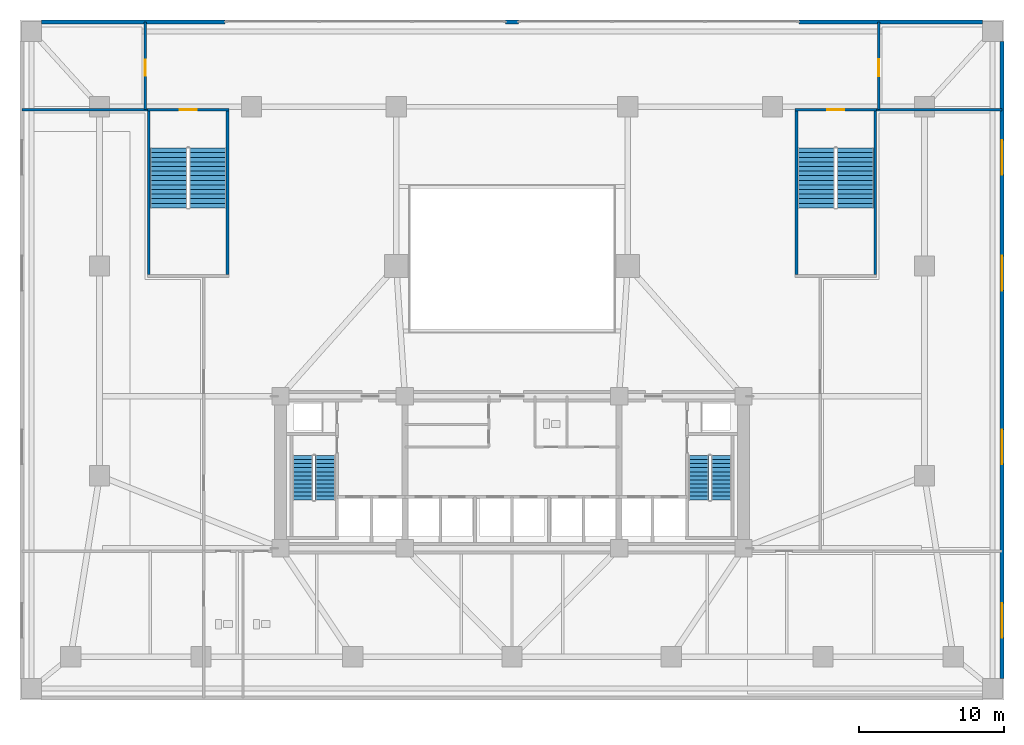
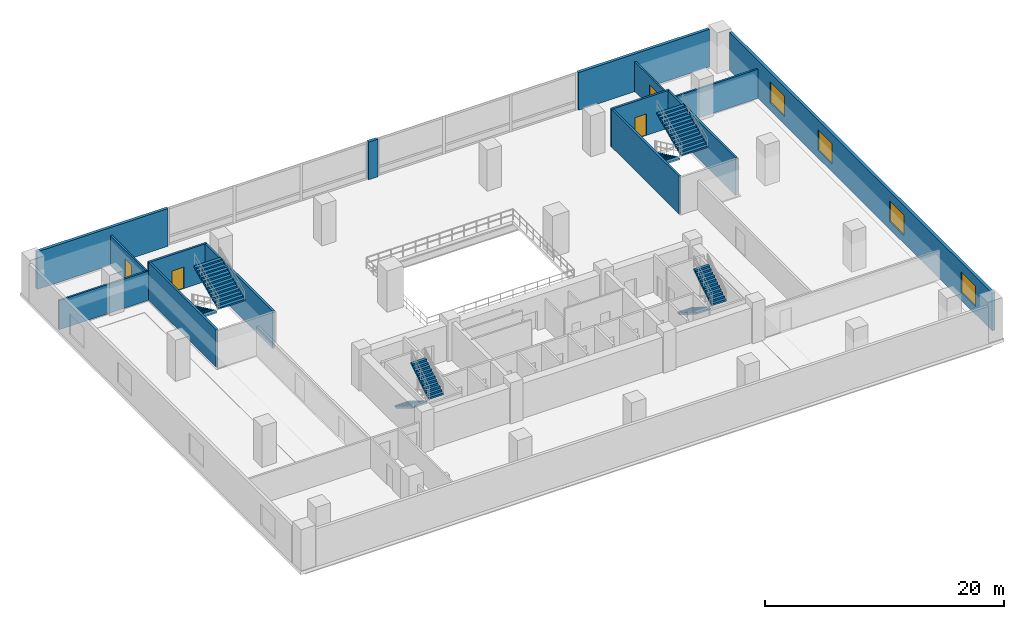
# One storey, part 9 of 15: 14 walls, 8 stair flights, 4 doors, 4 windows, 8 openings, 4 elements without a shape of their own.
"""IFC4 building model written with IfcOpenShell, lengths in metres."""

import ifcopenshell
import ifcopenshell.guid

model = None  # the IFC model being written
_history = None  # IfcOwnerHistory: only IFC2X3 demands one
_inside = {}  # id of a spatial element -> (the spatial element, [elements in it])
_under = {}  # id of a project, library or spatial element -> (it, [spatial elements below it])
_declared = {}  # id of a project -> (the project, [libraries it declares])
_typed = {}  # id of a type object -> (the type object, [elements of that type])
_made_of = {}  # id of a material, layer set ... -> (it, [elements and type objects made of it])


def new_model(schema):
    """Start an empty IFC model of exactly this schema.

    Asked for "IFC4X3", IfcOpenShell would pick the latest addendum, in which some entities
    have other attributes; the version numbers below select the first issue.
    IFC2X3 requires an IfcOwnerHistory on every rooted entity: one is made here for all.
    """
    global model, _history
    if schema == "IFC4X3":
        model = ifcopenshell.file(schema_version=(4, 3, 0, 0))
    else:
        model = ifcopenshell.file(schema=schema)
    _inside.clear()
    _under.clear()
    _declared.clear()
    _typed.clear()
    _made_of.clear()
    _history = None
    if model.schema == "IFC2X3":
        org = make("IfcOrganization", Name="unknown")
        user = make(
            "IfcPersonAndOrganization",
            ThePerson=make("IfcPerson", FamilyName="unknown"),
            TheOrganization=org,
        )
        app = make(
            "IfcApplication",
            ApplicationDeveloper=org,
            Version="unknown",
            ApplicationFullName="unknown",
            ApplicationIdentifier="unknown",
        )
        _history = make(
            "IfcOwnerHistory",
            OwningUser=user,
            OwningApplication=app,
            ChangeAction="ADDED",
            CreationDate=0,
        )
    return model


def make(cls, **values):
    """One entity of the class cls with the attributes given. An attribute that is None is left unset."""
    return model.create_entity(
        cls, **{name: value for name, value in values.items() if value is not None}
    )


def rooted(cls, **values):
    """An entity with a GlobalId (a new one), such as an element, a storey or a relation."""
    return make(cls, GlobalId=ifcopenshell.guid.new(), OwnerHistory=_history, **values)


def si_unit(unit_type, name, prefix=None):
    """IfcSIUnit, for example si_unit("LENGTHUNIT", "METRE", prefix="MILLI")."""
    return make("IfcSIUnit", UnitType=unit_type, Prefix=prefix, Name=name)


def assignment(units):
    """IfcUnitAssignment: the units of a project."""
    return None if units is None else make("IfcUnitAssignment", Units=units)


def point(xyz):
    """IfcCartesianPoint."""
    return None if xyz is None else make("IfcCartesianPoint", Coordinates=xyz)


def direction(xyz):
    """IfcDirection."""
    return None if xyz is None else make("IfcDirection", DirectionRatios=xyz)


def frame(location, z_axis=None, x_axis=None):
    """IfcAxis2Placement3D, a coordinate frame: its origin and axes. An axis left out is left unset."""
    return make(
        "IfcAxis2Placement3D",
        Location=point(location),
        Axis=direction(z_axis),
        RefDirection=direction(x_axis),
    )


def frame_2d(location, x_axis=None):
    """IfcAxis2Placement2D, a coordinate frame in the plane: its origin and x axis."""
    return make(
        "IfcAxis2Placement2D", Location=point(location), RefDirection=direction(x_axis)
    )


def origin():
    """The frame at (0, 0, 0) with its axes left unset."""
    return frame((0.0, 0.0, 0.0))


def place(relative_to, where):
    """IfcLocalPlacement: puts the frame where relative to a parent placement (None: the world)."""
    return make(
        "IfcLocalPlacement", PlacementRelTo=relative_to, RelativePlacement=where
    )


def context(
    kind, dimensions, precision=None, world=None, true_north=None, identifier=None
):
    """IfcGeometricRepresentationContext, for example the 3D "Model" context."""
    return make(
        "IfcGeometricRepresentationContext",
        ContextIdentifier=identifier,
        ContextType=kind,
        CoordinateSpaceDimension=dimensions,
        Precision=precision,
        WorldCoordinateSystem=world,
        TrueNorth=true_north,
    )


def subcontext(parent, identifier, kind, view, scale=None):
    """IfcGeometricRepresentationSubContext, for example "Body" below "Model"."""
    return make(
        "IfcGeometricRepresentationSubContext",
        ContextIdentifier=identifier,
        ContextType=kind,
        ParentContext=parent,
        TargetScale=scale,
        TargetView=view,
    )


def project(units=None, contexts=None):
    """IfcProject with its units and contexts."""
    return rooted(
        "IfcProject",
        Name="project",
        RepresentationContexts=contexts,
        UnitsInContext=assignment(units),
    )


def spatial(cls, under=None, at=None, **own):
    """A site, building, storey or space (cls), placed at a placement, below another one or the project."""
    s = rooted(cls, ObjectPlacement=at, **own)
    if under is not None:
        _under.setdefault(under.id(), (under, []))[1].append(s)
    return s


def polyline(points):
    """IfcPolyline through the points."""
    return make("IfcPolyline", Points=[point(p) for p in points])


def profile(cls, at=None, kind="AREA", **sizes):
    """A parametric profile (cls). Its sizes go by their IFC names, for example OverallWidth=200.0."""
    return make(cls, ProfileType=kind, Position=at, **sizes)


def rectangle(**sizes):
    """IfcRectangleProfileDef."""
    return profile("IfcRectangleProfileDef", **sizes)


def outline(outer, holes=None, kind="AREA"):
    """IfcArbitraryClosedProfileDef: a profile drawn as a closed curve; with holes, ...WithVoids."""
    if holes is None:
        return make("IfcArbitraryClosedProfileDef", ProfileType=kind, OuterCurve=outer)
    return make(
        "IfcArbitraryProfileDefWithVoids",
        ProfileType=kind,
        OuterCurve=outer,
        InnerCurves=holes,
    )


def extrude(swept, where, along, depth):
    """IfcExtrudedAreaSolid: the profile swept, set in the frame where, extruded along a direction by depth."""
    return make(
        "IfcExtrudedAreaSolid",
        SweptArea=swept,
        Position=where,
        ExtrudedDirection=direction(along),
        Depth=depth,
    )


def shape(context_of_items, identifier, shape_type, items):
    """IfcShapeRepresentation: the items that make up one representation, for example the "Body"."""
    return make(
        "IfcShapeRepresentation",
        ContextOfItems=context_of_items,
        RepresentationIdentifier=identifier,
        RepresentationType=shape_type,
        Items=items,
    )


def material(Name=None, Category=None):
    """IfcMaterial."""
    return make("IfcMaterial", Name=Name, Category=Category)


def layer(
    of_material, thickness, ventilated=None, Name=None, Category=None, Priority=None
):
    """IfcMaterialLayer: one layer of a wall or slab, of a material (None: an air gap)."""
    return make(
        "IfcMaterialLayer",
        Material=of_material,
        LayerThickness=thickness,
        IsVentilated=ventilated,
        Name=Name,
        Category=Category,
        Priority=Priority,
    )


def layer_set(layers, Name=None):
    """IfcMaterialLayerSet."""
    return make("IfcMaterialLayerSet", MaterialLayers=layers, LayerSetName=Name)


def made_of(thing, what):
    """Note that an element or type object is made of a material, layer set ...; save() writes the relation."""
    if what is not None:
        _made_of.setdefault(what.id(), (what, []))[1].append(thing)
    return thing


def type_object(cls, material=None, **own):
    """A type object (cls), such as IfcWallType, which elements share."""
    return made_of(rooted(cls, **own), material)


def element(
    cls,
    number,
    at=None,
    inside=None,
    cuts=None,
    type_object=None,
    material=None,
    context=None,
    identifier="Body",
    shape_type=None,
    held_by="IfcProductDefinitionShape",
    body=None,
    shapes=None,
    **own,
):
    """One element of the class cls, such as IfcWall. Its Tag is "e" and its number.

    at: its placement. inside: the storey or other place that contains it. cuts: it is an
    opening in that element (IfcRelVoidsElement). A single representation is given by context,
    identifier, shape_type and body (its items); several are given by shapes. held_by: the class
    of the entity that holds the representations. save() writes the other relations.
    """
    e = rooted(cls, Tag="e%d" % number, ObjectPlacement=at, **own)
    if body is not None:
        shapes = [shape(context, identifier, shape_type, body)]
    if shapes is not None:
        e.Representation = make(held_by, Representations=shapes)
    if inside is not None:
        _inside.setdefault(inside.id(), (inside, []))[1].append(e)
    if cuts is not None:
        rooted(
            "IfcRelVoidsElement", RelatingBuildingElement=cuts, RelatedOpeningElement=e
        )
    if type_object is not None:
        _typed.setdefault(type_object.id(), (type_object, []))[1].append(e)
    return made_of(e, material)


def fill(opening, filler):
    """IfcRelFillsElement: the door or window that sits in an opening."""
    return rooted(
        "IfcRelFillsElement",
        RelatingOpeningElement=opening,
        RelatedBuildingElement=filler,
    )


def aggregate(whole, parts):
    """IfcRelAggregates: a whole, such as a stair, and the parts it consists of."""
    return rooted("IfcRelAggregates", RelatingObject=whole, RelatedObjects=parts)


def save(model, path):
    """Write the relations noted so far, then the file.

    IfcRelAggregates (storeys below a building ...), IfcRelContainedInSpatialStructure (elements
    in a storey), IfcRelDefinesByType, IfcRelAssociatesMaterial and IfcRelDeclares: one each for
    every whole, place, type object, material and project.
    """
    for whole, parts in _under.values():
        aggregate(whole, parts)
    for where, things in _inside.values():
        rooted(
            "IfcRelContainedInSpatialStructure",
            RelatedElements=things,
            RelatingStructure=where,
        )
    for kind, things in _typed.values():
        rooted("IfcRelDefinesByType", RelatedObjects=things, RelatingType=kind)
    for what, things in _made_of.values():
        rooted("IfcRelAssociatesMaterial", RelatedObjects=things, RelatingMaterial=what)
    for by, libraries in _declared.values():
        rooted("IfcRelDeclares", RelatingContext=by, RelatedDefinitions=libraries)
    model.write(path)


model = new_model("IFC4")

# Units and contexts
model_context = context("Model", 3, precision=1e-05, world=origin(), true_north=direction((0.0, 1.0)))
body_context = subcontext(model_context, "Body", "Model", "MODEL_VIEW")
ifc_project = project(units=[si_unit("LENGTHUNIT", "METRE"), si_unit("AREAUNIT", "SQUARE_METRE"), si_unit("VOLUMEUNIT", "CUBIC_METRE"), si_unit("PLANEANGLEUNIT", "RADIAN"), si_unit("MASSUNIT", "GRAM", prefix="KILO")], contexts=[model_context])

# Site, building, storey
site_placement = place(None, origin())
site = spatial("IfcSite", under=ifc_project, at=site_placement, CompositionType="ELEMENT")
building_placement = place(site_placement, origin())
building = spatial("IfcBuilding", under=site, at=building_placement, Name="Solmavex Isthmus Hotel", CompositionType="ELEMENT")
storey_placement = place(building_placement, frame((0.0, 0.0, 16.199951171875)))
storey = spatial("IfcBuildingStorey", under=building, at=storey_placement, Name="L04", CompositionType="ELEMENT", Elevation=16.199951171875)

# Walls
ifc_material_1 = material(Name="Precast Concrete C40/50", Category="concrete")
ifc_layer_1 = layer(ifc_material_1, 0.280029296875)
ifc_layer_set_1 = layer_set([ifc_layer_1], Name="Precast Concrete C40/50")
wall_type_1 = type_object("IfcWallType", Name="EW-POD-280", PredefinedType="STANDARD", material=ifc_layer_set_1)
for number, where, z_axis, x_axis, name in (
    (1, (-32.5, 23.360107421875, 0.0), (0.0, 0.0, 1.0), (1.0, 0.0, 0.0), "Podium Facade Wall NW L04"),
    (2, (19.840087890625, 23.360107421875, 0.0), (0.0, 0.0, 1.0), (1.0, 0.0, 0.0), "Podium Facade Wall NE L04"),
):
    element("IfcWall", number, at=place(storey_placement, frame(where, z_axis=z_axis, x_axis=x_axis)), inside=storey, type_object=wall_type_1, Name=name, PredefinedType="STANDARD", context=body_context, shape_type="SweptSolid", body=[
        extrude(rectangle(XDim=12.659912109375, YDim=0.280029296875, at=frame_2d((6.330078125, 0.0))), origin(), (0.0, 0.0, 1.0), 3.85009765625),
    ])
wall_1_placement = place(storey_placement, frame((-0.449951171875, 23.360107421875, 0.0), z_axis=(0.0, 0.0, 1.0), x_axis=(1.0, 0.0, 0.0)))
element("IfcWall", 3, at=wall_1_placement, inside=storey, type_object=wall_type_1, Name="Podium Atrium Center Pier L04", PredefinedType="STANDARD", context=body_context, shape_type="SweptSolid", body=[
    extrude(rectangle(XDim=0.89990234375, YDim=0.280029296875, at=frame_2d((0.449951171875, 0.0))), origin(), (0.0, 0.0, 1.0), 3.85009765625),
])

# Wall, openings, windows
wall_2_placement = place(storey_placement, frame((33.860107421875, -22.0, 0.0), z_axis=(0.0, 0.0, 1.0), x_axis=(0.0, 1.0, 0.0)))
wall_2 = element("IfcWall", 4, at=wall_2_placement, inside=storey, type_object=wall_type_1, Name="Podium Facade Wall East L04", PredefinedType="STANDARD", context=body_context, shape_type="SweptSolid", body=[
    extrude(rectangle(XDim=44.0, YDim=0.280029296875, at=frame_2d((22.0, 0.0))), origin(), (0.0, 0.0, 1.0), 3.85009765625),
])
opening_1_placement = place(wall_2_placement, frame((2.800048828125, 0.0, 0.800048828125)))
opening_1 = element("IfcOpeningElement", 5, at=opening_1_placement, cuts=wall_2, Name="Opening WN-01", PredefinedType="OPENING", context=body_context, shape_type="SweptSolid", body=[
    extrude(rectangle(XDim=2.39990234375, YDim=2.10009765625, at=frame_2d((1.199951171875, 1.050048828125))), frame((0.0, 0.14990234375, 0.0), z_axis=(0.0, -1.0, 0.0), x_axis=(1.0, 0.0, 0.0)), (0.0, 0.0, 1.0), 0.300048828125),
])
opening_2_placement = place(wall_2_placement, frame((14.800048828125, 0.0, 0.800048828125)))
opening_2 = element("IfcOpeningElement", 6, at=opening_2_placement, cuts=wall_2, Name="Opening WN-01", PredefinedType="OPENING", context=body_context, shape_type="SweptSolid", body=[
    extrude(rectangle(XDim=2.39990234375, YDim=2.10009765625, at=frame_2d((1.199951171875, 1.050048828125))), frame((0.0, 0.14990234375, 0.0), z_axis=(0.0, -1.0, 0.0), x_axis=(1.0, 0.0, 0.0)), (0.0, 0.0, 1.0), 0.300048828125),
])
opening_3_placement = place(wall_2_placement, frame((26.800048828125, 0.0, 0.800048828125)))
opening_3 = element("IfcOpeningElement", 7, at=opening_3_placement, cuts=wall_2, Name="Opening WN-01", PredefinedType="OPENING", context=body_context, shape_type="SweptSolid", body=[
    extrude(rectangle(XDim=2.39990234375, YDim=2.10009765625, at=frame_2d((1.199951171875, 1.050048828125))), frame((0.0, 0.14990234375, 0.0), z_axis=(0.0, -1.0, 0.0), x_axis=(1.0, 0.0, 0.0)), (0.0, 0.0, 1.0), 0.300048828125),
])
opening_4_placement = place(wall_2_placement, frame((34.800048828125, 0.0, 0.800048828125)))
opening_4 = element("IfcOpeningElement", 8, at=opening_4_placement, cuts=wall_2, Name="Opening WN-01", PredefinedType="OPENING", context=body_context, shape_type="SweptSolid", body=[
    extrude(rectangle(XDim=2.39990234375, YDim=2.10009765625, at=frame_2d((1.199951171875, 1.050048828125))), frame((0.0, 0.14990234375, 0.0), z_axis=(0.0, -1.0, 0.0), x_axis=(1.0, 0.0, 0.0)), (0.0, 0.0, 1.0), 0.300048828125),
])
ifc_material_2 = material(Name="Clear low-E laminated glass", Category="glass")
window_type = type_object("IfcWindowType", Name="WIN-POD-2400", PartitioningType="SINGLE_PANEL", PredefinedType="WINDOW", material=ifc_material_2)
window_1_placement = place(opening_1_placement, origin())
window_1 = element("IfcWindow", 9, at=window_1_placement, inside=storey, type_object=window_type, Name="Podium Ballroom Window L04-E1", OverallHeight=2.10009765625, OverallWidth=2.39990234375, PartitioningType="SINGLE_PANEL", PredefinedType="WINDOW", context=body_context, shape_type="SweptSolid", body=[
    extrude(rectangle(XDim=2.39990234375, YDim=2.10009765625, at=frame_2d((1.199951171875, 1.050048828125))), frame((0.0, 0.030029296875, 0.0), z_axis=(0.0, -1.0, 0.0), x_axis=(1.0, 0.0, 0.0)), (0.0, 0.0, 1.0), 0.06005859375),
])
fill(opening_1, window_1)
window_2_placement = place(opening_2_placement, origin())
window_2 = element("IfcWindow", 10, at=window_2_placement, inside=storey, type_object=window_type, Name="Podium Ballroom Window L04-E2", OverallHeight=2.10009765625, OverallWidth=2.39990234375, PartitioningType="SINGLE_PANEL", PredefinedType="WINDOW", context=body_context, shape_type="SweptSolid", body=[
    extrude(rectangle(XDim=2.39990234375, YDim=2.10009765625, at=frame_2d((1.199951171875, 1.050048828125))), frame((0.0, 0.030029296875, 0.0), z_axis=(0.0, -1.0, 0.0), x_axis=(1.0, 0.0, 0.0)), (0.0, 0.0, 1.0), 0.06005859375),
])
fill(opening_2, window_2)
window_3_placement = place(opening_3_placement, origin())
window_3 = element("IfcWindow", 11, at=window_3_placement, inside=storey, type_object=window_type, Name="Podium Ballroom Window L04-E3", OverallHeight=2.10009765625, OverallWidth=2.39990234375, PartitioningType="SINGLE_PANEL", PredefinedType="WINDOW", context=body_context, shape_type="SweptSolid", body=[
    extrude(rectangle(XDim=2.39990234375, YDim=2.10009765625, at=frame_2d((1.199951171875, 1.050048828125))), frame((0.0, 0.030029296875, 0.0), z_axis=(0.0, -1.0, 0.0), x_axis=(1.0, 0.0, 0.0)), (0.0, 0.0, 1.0), 0.06005859375),
])
fill(opening_3, window_3)
window_4_placement = place(opening_4_placement, origin())
window_4 = element("IfcWindow", 12, at=window_4_placement, inside=storey, type_object=window_type, Name="Podium Ballroom Window L04-E4", OverallHeight=2.10009765625, OverallWidth=2.39990234375, PartitioningType="SINGLE_PANEL", PredefinedType="WINDOW", context=body_context, shape_type="SweptSolid", body=[
    extrude(rectangle(XDim=2.39990234375, YDim=2.10009765625, at=frame_2d((1.199951171875, 1.050048828125))), frame((0.0, 0.030029296875, 0.0), z_axis=(0.0, -1.0, 0.0), x_axis=(1.0, 0.0, 0.0)), (0.0, 0.0, 1.0), 0.06005859375),
])
fill(opening_4, window_4)

# Wall, opening, door
ifc_material_3 = material(Name="Gypsum plasterboard lining", Category="gypsum")
ifc_layer_2 = layer(ifc_material_3, 0.159912109375)
ifc_layer_set_2 = layer_set([ifc_layer_2], Name="Gypsum plasterboard lining")
wall_type_2 = type_object("IfcWallType", Name="IW-COMP-160", PredefinedType="PARTITIONING", material=ifc_layer_set_2)
wall_3_placement = place(storey_placement, frame((-25.35009765625, 17.300048828125, 0.0), z_axis=(0.0, 0.0, 1.0), x_axis=(0.0, 1.0, 0.0)))
wall_3 = element("IfcWall", 13, at=wall_3_placement, inside=storey, type_object=wall_type_2, Name="Interior Partition Wall W-L04-NORTH-WV", PredefinedType="PARTITIONING", context=body_context, shape_type="SweptSolid", body=[
    extrude(rectangle(XDim=6.06005859375, YDim=0.159912109375, at=frame_2d((3.030029296875, 0.0))), origin(), (0.0, 0.0, 1.0), 3.061767578125),
])
opening_5_placement = place(wall_3_placement, frame((2.35009765625, 0.0, 0.0)))
opening_5 = element("IfcOpeningElement", 14, at=opening_5_placement, cuts=wall_3, Name="Opening ID-C110", PredefinedType="OPENING", context=body_context, shape_type="SweptSolid", body=[
    extrude(rectangle(XDim=1.10009765625, YDim=2.14990234375, at=frame_2d((0.550048828125, 1.074951171875))), frame((0.0, 0.08984375, 0.0), z_axis=(0.0, -1.0, 0.0), x_axis=(1.0, 0.0, 0.0)), (0.0, 0.0, 1.0), 0.179931640625),
])
ifc_material_4 = material(Name="Hardwood timber", Category="wood")
door_type_1 = type_object("IfcDoorType", Name="IDR-FD60-1100", OperationType="NOTDEFINED", PredefinedType="DOOR", material=ifc_material_4)
door_1_placement = place(opening_5_placement, origin())
door_1 = element("IfcDoor", 15, at=door_1_placement, inside=storey, type_object=door_type_1, Name="VIP Coat Room Door L04", OperationType="SINGLE_SWING_RIGHT", OverallHeight=2.14990234375, OverallWidth=1.10009765625, PredefinedType="DOOR", context=body_context, shape_type="SweptSolid", body=[
    extrude(rectangle(XDim=1.10009765625, YDim=2.14990234375, at=frame_2d((0.550048828125, 1.074951171875))), frame((0.0, 0.02490234375, 0.0), z_axis=(0.0, -1.0, 0.0), x_axis=(1.0, 0.0, 0.0)), (0.0, 0.0, 1.0), 0.050048828125),
])
fill(opening_5, door_1)

wall_4_placement = place(storey_placement, frame((25.35009765625, 17.300048828125, 0.0), z_axis=(0.0, 0.0, 1.0), x_axis=(0.0, 1.0, 0.0)))
wall_4 = element("IfcWall", 16, at=wall_4_placement, inside=storey, type_object=wall_type_2, Name="Interior Partition Wall W-L04-NORTH-EV", PredefinedType="PARTITIONING", context=body_context, shape_type="SweptSolid", body=[
    extrude(rectangle(XDim=6.06005859375, YDim=0.159912109375, at=frame_2d((3.030029296875, 0.0))), origin(), (0.0, 0.0, 1.0), 3.061767578125),
])
opening_6_placement = place(wall_4_placement, frame((2.324951171875, 0.0, 0.0)))
opening_6 = element("IfcOpeningElement", 17, at=opening_6_placement, cuts=wall_4, Name="Opening ID-C115", PredefinedType="OPENING", context=body_context, shape_type="SweptSolid", body=[
    extrude(rectangle(XDim=1.14990234375, YDim=2.199951171875, at=frame_2d((0.574951171875, 1.10009765625))), frame((0.0, 0.08984375, 0.0), z_axis=(0.0, -1.0, 0.0), x_axis=(1.0, 0.0, 0.0)), (0.0, 0.0, 1.0), 0.179931640625),
])
door_type_2 = type_object("IfcDoorType", Name="IDR-FD60-1150", OperationType="NOTDEFINED", PredefinedType="DOOR", material=ifc_material_4)
door_2_placement = place(opening_6_placement, origin())
door_2 = element("IfcDoor", 18, at=door_2_placement, inside=storey, type_object=door_type_2, Name="Business Centre Door L04", OperationType="SINGLE_SWING_RIGHT", OverallHeight=2.199951171875, OverallWidth=1.14990234375, PredefinedType="DOOR", context=body_context, shape_type="SweptSolid", body=[
    extrude(rectangle(XDim=1.14990234375, YDim=2.199951171875, at=frame_2d((0.574951171875, 1.10009765625))), frame((0.0, 0.02490234375, 0.0), z_axis=(0.0, -1.0, 0.0), x_axis=(1.0, 0.0, 0.0)), (0.0, 0.0, 1.0), 0.050048828125),
])
fill(opening_6, door_2)

# Walls
ifc_material_5 = material(Name="Concrete C40/50", Category="concrete")
ifc_layer_3 = layer(ifc_material_5, 0.179931640625)
ifc_layer_set_3 = layer_set([ifc_layer_3], Name="Concrete C40/50")
wall_type_3 = type_object("IfcWallType", Name="IW-SHAFT-180", PredefinedType="PARTITIONING", material=ifc_layer_set_3)
for number, where, z_axis, x_axis, name in (
    (19, (-33.860107421875, 17.300048828125, 0.0), (0.0, 0.0, 1.0), (1.0, 0.0, 0.0), "Interior Partition Wall W-L04-NORTH-W"),
    (20, (25.199951171875, 17.300048828125, 0.0), (0.0, 0.0, 1.0), (1.0, 0.0, 0.0), "Interior Partition Wall W-L04-NORTH-E"),
):
    element("IfcWall", number, at=place(storey_placement, frame(where, z_axis=z_axis, x_axis=x_axis)), inside=storey, type_object=wall_type_3, Name=name, PredefinedType="PARTITIONING", context=body_context, shape_type="SweptSolid", body=[
        extrude(rectangle(XDim=8.66015625, YDim=0.179931640625, at=frame_2d((4.330078125, 0.0))), origin(), (0.0, 0.0, 1.0), 2.9794921875),
    ])

# Wall, opening, door
ifc_layer_4 = layer(ifc_material_5, 0.199951171875)
ifc_layer_set_4 = layer_set([ifc_layer_4], Name="Concrete C40/50")
wall_type_4 = type_object("IfcWallType", Name="WALL-SW-200", PredefinedType="SOLIDWALL", material=ifc_layer_set_4)
wall_5_placement = place(storey_placement, frame((19.550048828125, 17.300048828125, 0.0), z_axis=(0.0, 0.0, 1.0), x_axis=(1.0, 0.0, 0.0)))
wall_5 = element("IfcWall", 21, at=wall_5_placement, inside=storey, type_object=wall_type_4, Name="Stairwell Structural Wall SW-L04-ST3-N", PredefinedType="SOLIDWALL", context=body_context, shape_type="SweptSolid", body=[
    extrude(rectangle(XDim=5.64990234375, YDim=0.199951171875, at=frame_2d((2.824951171875, 0.0))), origin(), (0.0, 0.0, 1.0), 3.85009765625),
])
opening_7_placement = place(wall_5_placement, frame((2.25, 0.0, 0.0)))
opening_7 = element("IfcOpeningElement", 22, at=opening_7_placement, cuts=wall_5, Name="Opening ID-F115", PredefinedType="OPENING", context=body_context, shape_type="SweptSolid", body=[
    extrude(rectangle(XDim=1.14990234375, YDim=2.199951171875, at=frame_2d((0.574951171875, 1.10009765625))), frame((0.0, 0.10986328125, 0.0), z_axis=(0.0, -1.0, 0.0), x_axis=(1.0, 0.0, 0.0)), (0.0, 0.0, 1.0), 0.219970703125),
])
ifc_material_6 = material(Name="Steel ASTM A500 Grade C", Category="steel")
door_type_3 = type_object("IfcDoorType", Name="IDR-FD90-1150", OperationType="NOTDEFINED", PredefinedType="DOOR", material=ifc_material_6)
door_3_placement = place(opening_7_placement, origin())
door_3 = element("IfcDoor", 23, at=door_3_placement, inside=storey, type_object=door_type_3, Name="Podium Stair ST3 Fire Door L04", OperationType="SINGLE_SWING_LEFT", OverallHeight=2.199951171875, OverallWidth=1.14990234375, PredefinedType="DOOR", context=body_context, shape_type="SweptSolid", body=[
    extrude(rectangle(XDim=1.14990234375, YDim=2.199951171875, at=frame_2d((0.574951171875, 1.10009765625))), frame((0.0, 0.02490234375, 0.0), z_axis=(0.0, -1.0, 0.0), x_axis=(1.0, 0.0, 0.0)), (0.0, 0.0, 1.0), 0.050048828125),
])
fill(opening_7, door_3)

# Walls
for number, where, z_axis, x_axis, name in (
    (24, (19.64990234375, 5.89990234375, 0.0), (0.0, 0.0, 1.0), (0.0, 1.0, 0.0), "Stairwell Structural Wall SW-L04-ST3-W"),
    (25, (25.10009765625, 5.89990234375, 0.0), (0.0, 0.0, 1.0), (0.0, 1.0, 0.0), "Stairwell Structural Wall SW-L04-ST3-E"),
):
    element("IfcWall", number, at=place(storey_placement, frame(where, z_axis=z_axis, x_axis=x_axis)), inside=storey, type_object=wall_type_4, Name=name, PredefinedType="SOLIDWALL", context=body_context, shape_type="SweptSolid", body=[
        extrude(rectangle(XDim=11.300048828125, YDim=0.199951171875, at=frame_2d((5.64990234375, 0.0))), origin(), (0.0, 0.0, 1.0), 3.85009765625),
    ])

# Wall, opening, door
wall_6_placement = place(storey_placement, frame((-25.199951171875, 17.300048828125, 0.0), z_axis=(0.0, 0.0, 1.0), x_axis=(1.0, 0.0, 0.0)))
wall_6 = element("IfcWall", 26, at=wall_6_placement, inside=storey, type_object=wall_type_4, Name="Stairwell Structural Wall SW-L04-ST4-N", PredefinedType="SOLIDWALL", context=body_context, shape_type="SweptSolid", body=[
    extrude(rectangle(XDim=5.64990234375, YDim=0.199951171875, at=frame_2d((2.824951171875, 0.0))), origin(), (0.0, 0.0, 1.0), 3.85009765625),
])
opening_8_placement = place(wall_6_placement, frame((2.25, 0.0, 0.0)))
opening_8 = element("IfcOpeningElement", 27, at=opening_8_placement, cuts=wall_6, Name="Opening ID-F115", PredefinedType="OPENING", context=body_context, shape_type="SweptSolid", body=[
    extrude(rectangle(XDim=1.14990234375, YDim=2.199951171875, at=frame_2d((0.574951171875, 1.10009765625))), frame((0.0, 0.10986328125, 0.0), z_axis=(0.0, -1.0, 0.0), x_axis=(1.0, 0.0, 0.0)), (0.0, 0.0, 1.0), 0.219970703125),
])
door_4_placement = place(opening_8_placement, origin())
door_4 = element("IfcDoor", 28, at=door_4_placement, inside=storey, type_object=door_type_3, Name="Podium Stair ST4 Fire Door L04", OperationType="SINGLE_SWING_RIGHT", OverallHeight=2.199951171875, OverallWidth=1.14990234375, PredefinedType="DOOR", context=body_context, shape_type="SweptSolid", body=[
    extrude(rectangle(XDim=1.14990234375, YDim=2.199951171875, at=frame_2d((0.574951171875, 1.10009765625))), frame((0.0, 0.02490234375, 0.0), z_axis=(0.0, -1.0, 0.0), x_axis=(1.0, 0.0, 0.0)), (0.0, 0.0, 1.0), 0.050048828125),
])
fill(opening_8, door_4)

# Walls
for number, where, z_axis, x_axis, name in (
    (29, (-25.10009765625, 5.89990234375, 0.0), (0.0, 0.0, 1.0), (0.0, 1.0, 0.0), "Stairwell Structural Wall SW-L04-ST4-W"),
    (30, (-19.64990234375, 5.89990234375, 0.0), (0.0, 0.0, 1.0), (0.0, 1.0, 0.0), "Stairwell Structural Wall SW-L04-ST4-E"),
):
    element("IfcWall", number, at=place(storey_placement, frame(where, z_axis=z_axis, x_axis=x_axis)), inside=storey, type_object=wall_type_4, Name=name, PredefinedType="SOLIDWALL", context=body_context, shape_type="SweptSolid", body=[
        extrude(rectangle(XDim=11.300048828125, YDim=0.199951171875, at=frame_2d((5.64990234375, 0.0))), origin(), (0.0, 0.0, 1.0), 3.85009765625),
    ])

# Stair, stair flights
stair_type_1 = type_object("IfcStairType", Name="STR-ST-1", PredefinedType="HALF_TURN_STAIR", material=ifc_material_5)
stair_1_placement = place(storey_placement, origin())
stair_1 = element("IfcStair", 31, at=stair_1_placement, inside=storey, type_object=stair_type_1, Name="L04 Protected Exit Stair ST-1", PredefinedType="HALF_TURN_STAIR")
stair_flight_type_1 = type_object("IfcStairFlightType", Name="SFL-ST-1", PredefinedType="STRAIGHT", material=ifc_material_5)
stair_flight_1_placement = place(storey_placement, frame((-14.449951171875, -6.60009765625, 0.0), z_axis=(0.0, 0.0, 1.0), x_axis=(0.0, -1.0, 0.0)))
stair_flight_1 = element("IfcStairFlight", 32, at=stair_flight_1_placement, type_object=stair_flight_type_1, Name="ST-1 flight 1", NumberOfRisers=12, NumberOfTreads=11, PredefinedType="STRAIGHT", RiserHeight=0.175, TreadLength=0.28, context=body_context, shape_type="SweptSolid", body=[
    extrude(outline(polyline([(0.0, 0.0), (0.0, 0.175048828125), (0.280029296875, 0.175048828125), (0.280029296875, 0.35009765625), (0.56005859375, 0.35009765625), (0.56005859375, 0.52490234375), (0.840087890625, 0.52490234375), (0.840087890625, 0.699951171875), (1.1201171875, 0.699951171875), (1.1201171875, 0.875), (1.39990234375, 0.875), (1.39990234375, 1.050048828125), (1.679931640625, 1.050048828125), (1.679931640625, 1.22509765625), (1.9599609375, 1.22509765625), (1.9599609375, 1.39990234375), (2.239990234375, 1.39990234375), (2.239990234375, 1.574951171875), (2.52001953125, 1.574951171875), (2.52001953125, 1.75), (2.800048828125, 1.75), (2.800048828125, 1.925048828125), (3.080078125, 1.925048828125), (3.080078125, 2.10009765625), (3.080078125, 1.748291015625), (0.28271484375, 0.0), (0.0, 0.0)])), frame((0.0, 0.699951171875, 0.0), z_axis=(0.0, -1.0, 0.0), x_axis=(1.0, 0.0, 0.0)), (0.0, 0.0, 1.0), 1.39990234375),
])
stair_flight_2_placement = place(storey_placement, frame((-12.89990234375, -9.679931640625, 2.10009765625), z_axis=(0.0, 0.0, 1.0), x_axis=(0.0, 1.0, 0.0)))
stair_flight_2 = element("IfcStairFlight", 33, at=stair_flight_2_placement, type_object=stair_flight_type_1, Name="ST-1 flight 2", NumberOfRisers=12, NumberOfTreads=11, PredefinedType="STRAIGHT", RiserHeight=0.175, TreadLength=0.28, context=body_context, shape_type="SweptSolid", body=[
    extrude(outline(polyline([(0.0, 0.0), (0.0, 0.175048828125), (0.280029296875, 0.175048828125), (0.280029296875, 0.35009765625), (0.56005859375, 0.35009765625), (0.56005859375, 0.52490234375), (0.840087890625, 0.52490234375), (0.840087890625, 0.699951171875), (1.1201171875, 0.699951171875), (1.1201171875, 0.875), (1.39990234375, 0.875), (1.39990234375, 1.050048828125), (1.679931640625, 1.050048828125), (1.679931640625, 1.22509765625), (1.9599609375, 1.22509765625), (1.9599609375, 1.39990234375), (2.239990234375, 1.39990234375), (2.239990234375, 1.574951171875), (2.52001953125, 1.574951171875), (2.52001953125, 1.75), (2.800048828125, 1.75), (2.800048828125, 1.925048828125), (3.080078125, 1.925048828125), (3.080078125, 2.10009765625), (3.080078125, 1.748291015625), (0.28271484375, 0.0), (0.0, 0.0)])), frame((0.0, 0.699951171875, 0.0), z_axis=(0.0, -1.0, 0.0), x_axis=(1.0, 0.0, 0.0)), (0.0, 0.0, 1.0), 1.39990234375),
])
aggregate(stair_1, [stair_flight_1, stair_flight_2])

stair_type_2 = type_object("IfcStairType", Name="STR-ST-2", PredefinedType="HALF_TURN_STAIR", material=ifc_material_5)
stair_2_placement = place(storey_placement, origin())
stair_2 = element("IfcStair", 34, at=stair_2_placement, inside=storey, type_object=stair_type_2, Name="L04 Protected Exit Stair ST-2", PredefinedType="HALF_TURN_STAIR")
stair_flight_type_2 = type_object("IfcStairFlightType", Name="SFL-ST-2", PredefinedType="STRAIGHT", material=ifc_material_5)
stair_flight_3_placement = place(storey_placement, frame((12.89990234375, -6.60009765625, 0.0), z_axis=(0.0, 0.0, 1.0), x_axis=(0.0, -1.0, 0.0)))
stair_flight_3 = element("IfcStairFlight", 35, at=stair_flight_3_placement, type_object=stair_flight_type_2, Name="ST-2 flight 1", NumberOfRisers=12, NumberOfTreads=11, PredefinedType="STRAIGHT", RiserHeight=0.175, TreadLength=0.28, context=body_context, shape_type="SweptSolid", body=[
    extrude(outline(polyline([(0.0, 0.0), (0.0, 0.175048828125), (0.280029296875, 0.175048828125), (0.280029296875, 0.35009765625), (0.56005859375, 0.35009765625), (0.56005859375, 0.52490234375), (0.840087890625, 0.52490234375), (0.840087890625, 0.699951171875), (1.1201171875, 0.699951171875), (1.1201171875, 0.875), (1.39990234375, 0.875), (1.39990234375, 1.050048828125), (1.679931640625, 1.050048828125), (1.679931640625, 1.22509765625), (1.9599609375, 1.22509765625), (1.9599609375, 1.39990234375), (2.239990234375, 1.39990234375), (2.239990234375, 1.574951171875), (2.52001953125, 1.574951171875), (2.52001953125, 1.75), (2.800048828125, 1.75), (2.800048828125, 1.925048828125), (3.080078125, 1.925048828125), (3.080078125, 2.10009765625), (3.080078125, 1.748291015625), (0.28271484375, 0.0), (0.0, 0.0)])), frame((0.0, 0.699951171875, 0.0), z_axis=(0.0, -1.0, 0.0), x_axis=(1.0, 0.0, 0.0)), (0.0, 0.0, 1.0), 1.39990234375),
])
stair_flight_4_placement = place(storey_placement, frame((14.449951171875, -9.679931640625, 2.10009765625), z_axis=(0.0, 0.0, 1.0), x_axis=(0.0, 1.0, 0.0)))
stair_flight_4 = element("IfcStairFlight", 36, at=stair_flight_4_placement, type_object=stair_flight_type_2, Name="ST-2 flight 2", NumberOfRisers=12, NumberOfTreads=11, PredefinedType="STRAIGHT", RiserHeight=0.175, TreadLength=0.28, context=body_context, shape_type="SweptSolid", body=[
    extrude(outline(polyline([(0.0, 0.0), (0.0, 0.175048828125), (0.280029296875, 0.175048828125), (0.280029296875, 0.35009765625), (0.56005859375, 0.35009765625), (0.56005859375, 0.52490234375), (0.840087890625, 0.52490234375), (0.840087890625, 0.699951171875), (1.1201171875, 0.699951171875), (1.1201171875, 0.875), (1.39990234375, 0.875), (1.39990234375, 1.050048828125), (1.679931640625, 1.050048828125), (1.679931640625, 1.22509765625), (1.9599609375, 1.22509765625), (1.9599609375, 1.39990234375), (2.239990234375, 1.39990234375), (2.239990234375, 1.574951171875), (2.52001953125, 1.574951171875), (2.52001953125, 1.75), (2.800048828125, 1.75), (2.800048828125, 1.925048828125), (3.080078125, 1.925048828125), (3.080078125, 2.10009765625), (3.080078125, 1.748291015625), (0.28271484375, 0.0), (0.0, 0.0)])), frame((0.0, 0.699951171875, 0.0), z_axis=(0.0, -1.0, 0.0), x_axis=(1.0, 0.0, 0.0)), (0.0, 0.0, 1.0), 1.39990234375),
])
aggregate(stair_2, [stair_flight_3, stair_flight_4])

stair_type_3 = type_object("IfcStairType", Name="STR-ST-3", PredefinedType="HALF_TURN_STAIR", material=ifc_material_5)
stair_3_placement = place(storey_placement, origin())
stair_3 = element("IfcStair", 37, at=stair_3_placement, inside=storey, type_object=stair_type_3, Name="L04 Podium Assembly Exit Stair ST-3", PredefinedType="HALF_TURN_STAIR")
stair_flight_type_3 = type_object("IfcStairFlightType", Name="SFL-ST-3", PredefinedType="STRAIGHT", material=ifc_material_5)
stair_flight_5_placement = place(storey_placement, frame((21.02490234375, 14.64990234375, 0.0), z_axis=(0.0, 0.0, 1.0), x_axis=(0.0, -1.0, 0.0)))
stair_flight_5 = element("IfcStairFlight", 38, at=stair_flight_5_placement, type_object=stair_flight_type_3, Name="ST-3 flight 1", NumberOfRisers=14, NumberOfTreads=13, PredefinedType="STRAIGHT", RiserHeight=0.15, TreadLength=0.318, context=body_context, shape_type="SweptSolid", body=[
    extrude(outline(polyline([(0.0, 0.0), (0.0, 0.14990234375), (0.318115234375, 0.14990234375), (0.318115234375, 0.300048828125), (0.635986328125, 0.300048828125), (0.635986328125, 0.449951171875), (0.9541015625, 0.449951171875), (0.9541015625, 0.60009765625), (1.27197265625, 0.60009765625), (1.27197265625, 0.75), (1.590087890625, 0.75), (1.590087890625, 0.89990234375), (1.907958984375, 0.89990234375), (1.907958984375, 1.050048828125), (2.22607421875, 1.050048828125), (2.22607421875, 1.199951171875), (2.5439453125, 1.199951171875), (2.5439453125, 1.35009765625), (2.862060546875, 1.35009765625), (2.862060546875, 1.5), (3.179931640625, 1.5), (3.179931640625, 1.64990234375), (3.498046875, 1.64990234375), (3.498046875, 1.800048828125), (3.81591796875, 1.800048828125), (3.81591796875, 1.949951171875), (4.134033203125, 1.949951171875), (4.134033203125, 2.10009765625), (4.134033203125, 1.7841796875), (0.351318359375, 0.0), (0.0, 0.0)])), frame((0.0, 1.27490234375, 0.0), z_axis=(0.0, -1.0, 0.0), x_axis=(1.0, 0.0, 0.0)), (0.0, 0.0, 1.0), 2.550048828125),
])
stair_flight_6_placement = place(storey_placement, frame((23.72509765625, 10.51611328125, 2.10009765625), z_axis=(0.0, 0.0, 1.0), x_axis=(0.0, 1.0, 0.0)))
stair_flight_6 = element("IfcStairFlight", 39, at=stair_flight_6_placement, type_object=stair_flight_type_3, Name="ST-3 flight 2", NumberOfRisers=14, NumberOfTreads=13, PredefinedType="STRAIGHT", RiserHeight=0.15, TreadLength=0.318, context=body_context, shape_type="SweptSolid", body=[
    extrude(outline(polyline([(0.0, 0.0), (0.0, 0.14990234375), (0.318115234375, 0.14990234375), (0.318115234375, 0.300048828125), (0.635986328125, 0.300048828125), (0.635986328125, 0.449951171875), (0.9541015625, 0.449951171875), (0.9541015625, 0.60009765625), (1.27197265625, 0.60009765625), (1.27197265625, 0.75), (1.590087890625, 0.75), (1.590087890625, 0.89990234375), (1.907958984375, 0.89990234375), (1.907958984375, 1.050048828125), (2.22607421875, 1.050048828125), (2.22607421875, 1.199951171875), (2.5439453125, 1.199951171875), (2.5439453125, 1.35009765625), (2.862060546875, 1.35009765625), (2.862060546875, 1.5), (3.179931640625, 1.5), (3.179931640625, 1.64990234375), (3.498046875, 1.64990234375), (3.498046875, 1.800048828125), (3.81591796875, 1.800048828125), (3.81591796875, 1.949951171875), (4.134033203125, 1.949951171875), (4.134033203125, 2.10009765625), (4.134033203125, 1.7841796875), (0.351318359375, 0.0), (0.0, 0.0)])), frame((0.0, 1.27490234375, 0.0), z_axis=(0.0, -1.0, 0.0), x_axis=(1.0, 0.0, 0.0)), (0.0, 0.0, 1.0), 2.550048828125),
])
aggregate(stair_3, [stair_flight_5, stair_flight_6])

stair_type_4 = type_object("IfcStairType", Name="STR-ST-4", PredefinedType="HALF_TURN_STAIR", material=ifc_material_5)
stair_4_placement = place(storey_placement, origin())
stair_4 = element("IfcStair", 40, at=stair_4_placement, inside=storey, type_object=stair_type_4, Name="L04 Podium Assembly Exit Stair ST-4", PredefinedType="HALF_TURN_STAIR")
stair_flight_type_4 = type_object("IfcStairFlightType", Name="SFL-ST-4", PredefinedType="STRAIGHT", material=ifc_material_5)
stair_flight_7_placement = place(storey_placement, frame((-23.72509765625, 14.64990234375, 0.0), z_axis=(0.0, 0.0, 1.0), x_axis=(0.0, -1.0, 0.0)))
stair_flight_7 = element("IfcStairFlight", 41, at=stair_flight_7_placement, type_object=stair_flight_type_4, Name="ST-4 flight 1", NumberOfRisers=14, NumberOfTreads=13, PredefinedType="STRAIGHT", RiserHeight=0.15, TreadLength=0.318, context=body_context, shape_type="SweptSolid", body=[
    extrude(outline(polyline([(0.0, 0.0), (0.0, 0.14990234375), (0.318115234375, 0.14990234375), (0.318115234375, 0.300048828125), (0.635986328125, 0.300048828125), (0.635986328125, 0.449951171875), (0.9541015625, 0.449951171875), (0.9541015625, 0.60009765625), (1.27197265625, 0.60009765625), (1.27197265625, 0.75), (1.590087890625, 0.75), (1.590087890625, 0.89990234375), (1.907958984375, 0.89990234375), (1.907958984375, 1.050048828125), (2.22607421875, 1.050048828125), (2.22607421875, 1.199951171875), (2.5439453125, 1.199951171875), (2.5439453125, 1.35009765625), (2.862060546875, 1.35009765625), (2.862060546875, 1.5), (3.179931640625, 1.5), (3.179931640625, 1.64990234375), (3.498046875, 1.64990234375), (3.498046875, 1.800048828125), (3.81591796875, 1.800048828125), (3.81591796875, 1.949951171875), (4.134033203125, 1.949951171875), (4.134033203125, 2.10009765625), (4.134033203125, 1.7841796875), (0.351318359375, 0.0), (0.0, 0.0)])), frame((0.0, 1.27490234375, 0.0), z_axis=(0.0, -1.0, 0.0), x_axis=(1.0, 0.0, 0.0)), (0.0, 0.0, 1.0), 2.550048828125),
])
stair_flight_8_placement = place(storey_placement, frame((-21.02490234375, 10.51611328125, 2.10009765625), z_axis=(0.0, 0.0, 1.0), x_axis=(0.0, 1.0, 0.0)))
stair_flight_8 = element("IfcStairFlight", 42, at=stair_flight_8_placement, type_object=stair_flight_type_4, Name="ST-4 flight 2", NumberOfRisers=14, NumberOfTreads=13, PredefinedType="STRAIGHT", RiserHeight=0.15, TreadLength=0.318, context=body_context, shape_type="SweptSolid", body=[
    extrude(outline(polyline([(0.0, 0.0), (0.0, 0.14990234375), (0.318115234375, 0.14990234375), (0.318115234375, 0.300048828125), (0.635986328125, 0.300048828125), (0.635986328125, 0.449951171875), (0.9541015625, 0.449951171875), (0.9541015625, 0.60009765625), (1.27197265625, 0.60009765625), (1.27197265625, 0.75), (1.590087890625, 0.75), (1.590087890625, 0.89990234375), (1.907958984375, 0.89990234375), (1.907958984375, 1.050048828125), (2.22607421875, 1.050048828125), (2.22607421875, 1.199951171875), (2.5439453125, 1.199951171875), (2.5439453125, 1.35009765625), (2.862060546875, 1.35009765625), (2.862060546875, 1.5), (3.179931640625, 1.5), (3.179931640625, 1.64990234375), (3.498046875, 1.64990234375), (3.498046875, 1.800048828125), (3.81591796875, 1.800048828125), (3.81591796875, 1.949951171875), (4.134033203125, 1.949951171875), (4.134033203125, 2.10009765625), (4.134033203125, 1.7841796875), (0.351318359375, 0.0), (0.0, 0.0)])), frame((0.0, 1.27490234375, 0.0), z_axis=(0.0, -1.0, 0.0), x_axis=(1.0, 0.0, 0.0)), (0.0, 0.0, 1.0), 2.550048828125),
])
aggregate(stair_4, [stair_flight_7, stair_flight_8])

save(model, "model.ifc")
